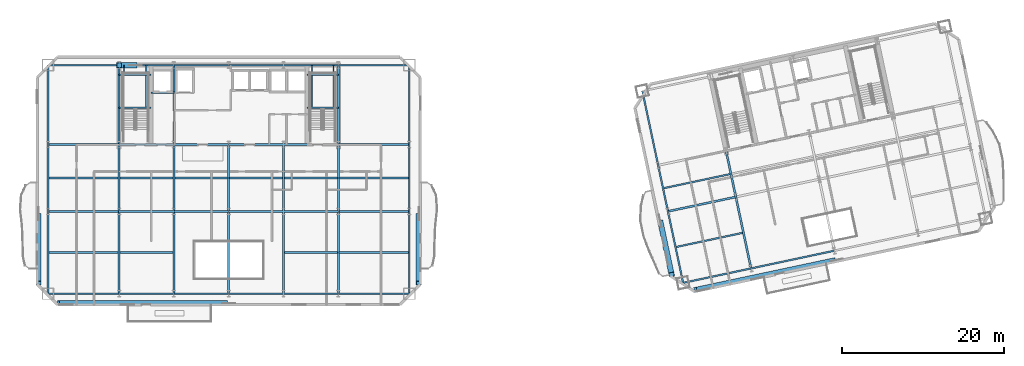
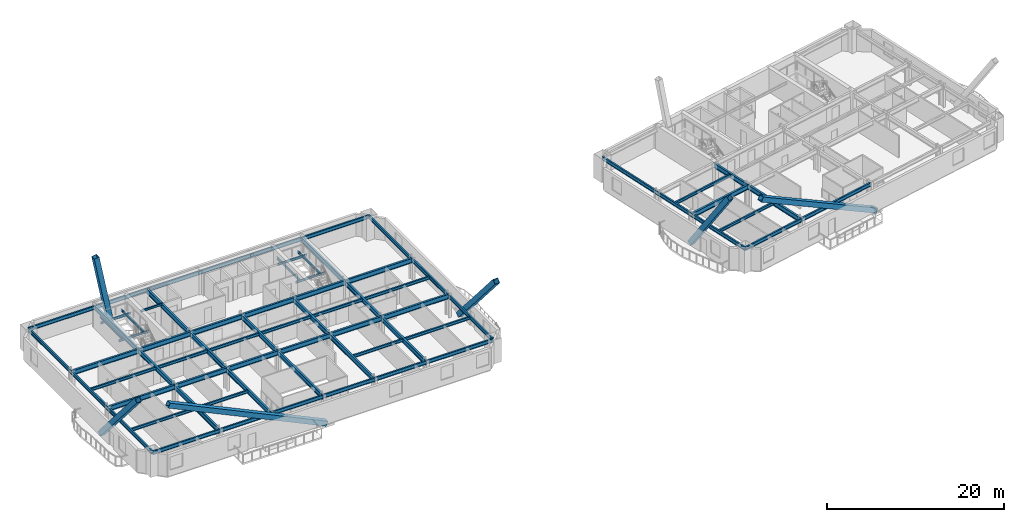
# One storey, part 3 of 15: 72 beams, 6 members.
"""IFC4 building model written with IfcOpenShell, lengths in metres."""

from ifc_helpers import new_model, si_unit, direction, frame, origin, origin_2d, place, context, subcontext, project, spatial, hollow_rectangle, i_section, extrude, material, material_profile, profile_set, type_object, element, save


model = new_model("IFC4")

# Units and contexts
model_context = context("Model", 3, precision=1e-05, world=origin(), true_north=direction((0.0, 1.0)))
body_context = subcontext(model_context, "Body", "Model", "MODEL_VIEW")
ifc_project = project(units=[si_unit("LENGTHUNIT", "METRE"), si_unit("AREAUNIT", "SQUARE_METRE"), si_unit("VOLUMEUNIT", "CUBIC_METRE"), si_unit("PLANEANGLEUNIT", "RADIAN"), si_unit("MASSUNIT", "GRAM", prefix="KILO")], contexts=[model_context])

# Site, building, storey
site_placement = place(None, origin())
site = spatial("IfcSite", under=ifc_project, at=site_placement, CompositionType="ELEMENT")
building_placement = place(site_placement, origin())
building = spatial("IfcBuilding", under=site, at=building_placement, Name="Haevon Station Towers", CompositionType="ELEMENT")
storey_placement = place(building_placement, frame((0.0, 0.0, 103.199951171875)))
storey = spatial("IfcBuildingStorey", under=building, at=storey_placement, Name="L27", CompositionType="ELEMENT", Elevation=103.199951171875)

# Beams
ifc_material_1 = material(Name="Steel S355", Category="steel")
ifc_material_profile_1 = material_profile(ifc_material_1, i_section(OverallWidth=0.25, OverallDepth=0.64990234375, WebThickness=0.012939453125, FlangeThickness=0.02197265625, at=origin_2d()), Name="H-650x250x13x22")
ifc_profile_set_1 = profile_set([ifc_material_profile_1], Name="Steel S355")
beam_type_1 = type_object("IfcBeamType", Name="BM-G650", PredefinedType="BEAM", material=ifc_profile_set_1)
beam_1_placement = place(storey_placement, frame((15.25, 30.0, 2.72509765625), z_axis=(1.0, 0.0, 0.0), x_axis=(0.0, 1.0, 0.0)))
element("IfcBeam", 1, at=beam_1_placement, inside=storey, type_object=beam_type_1, Name="BM-T1U-L27-02-01", PredefinedType="BEAM", context=body_context, shape_type="SweptSolid", body=[
    extrude(i_section(OverallWidth=0.25, OverallDepth=0.64990234375, WebThickness=0.012939453125, FlangeThickness=0.02197265625, at=origin_2d()), origin(), (0.0, 0.0, 1.0), 8.75),
])
for number, where, z_axis, x_axis, name in (
    (2, (24.0, 30.0, 2.72509765625), (1.0, 0.0, 0.0), (0.0, 1.0, 0.0), "BM-T1U-L27-02-02"),
    (3, (30.75, 30.0, 2.72509765625), (1.0, 0.0, 0.0), (0.0, 1.0, 0.0), "BM-T1U-L27-02-03"),
    (4, (37.5, 30.0, 2.72509765625), (1.0, 0.0, 0.0), (0.0, 1.0, 0.0), "BM-T1U-L27-02-04"),
    (5, (44.25, 30.0, 2.72509765625), (1.0, 0.0, 0.0), (0.0, 1.0, 0.0), "BM-T1U-L27-02-05"),
):
    element("IfcBeam", number, at=place(storey_placement, frame(where, z_axis=z_axis, x_axis=x_axis)), inside=storey, type_object=beam_type_1, Name=name, PredefinedType="BEAM", context=body_context, shape_type="SweptSolid", body=[
        extrude(i_section(OverallWidth=0.25, OverallDepth=0.64990234375, WebThickness=0.012939453125, FlangeThickness=0.02197265625, at=origin_2d()), origin(), (0.0, 0.0, 1.0), 6.75),
    ])
for number, where, z_axis, x_axis, name in (
    (6, (51.0, 30.0, 2.72509765625), (1.0, 0.0, 0.0), (0.0, 1.0, 0.0), "BM-T1U-L27-02-06"),
    (7, (15.25, 38.199951171875, 2.72509765625), (1.0, 0.0, 0.0), (0.0, 1.0, 0.0), "BM-T1U-L27-03-01"),
):
    element("IfcBeam", number, at=place(storey_placement, frame(where, z_axis=z_axis, x_axis=x_axis)), inside=storey, type_object=beam_type_1, Name=name, PredefinedType="BEAM", context=body_context, shape_type="SweptSolid", body=[
        extrude(i_section(OverallWidth=0.25, OverallDepth=0.64990234375, WebThickness=0.012939453125, FlangeThickness=0.02197265625, at=origin_2d()), origin(), (0.0, 0.0, 1.0), 8.75),
    ])
for number, where, z_axis, x_axis, name in (
    (8, (24.0, 38.199951171875, 2.72509765625), (1.0, 0.0, 0.0), (0.0, 1.0, 0.0), "BM-T1U-L27-03-02"),
    (9, (30.75, 38.199951171875, 2.72509765625), (1.0, 0.0, 0.0), (0.0, 1.0, 0.0), "BM-T1U-L27-03-03"),
    (10, (37.5, 38.199951171875, 2.72509765625), (1.0, 0.0, 0.0), (0.0, 1.0, 0.0), "BM-T1U-L27-03-04"),
    (11, (44.25, 38.199951171875, 2.72509765625), (1.0, 0.0, 0.0), (0.0, 1.0, 0.0), "BM-T1U-L27-03-05"),
):
    element("IfcBeam", number, at=place(storey_placement, frame(where, z_axis=z_axis, x_axis=x_axis)), inside=storey, type_object=beam_type_1, Name=name, PredefinedType="BEAM", context=body_context, shape_type="SweptSolid", body=[
        extrude(i_section(OverallWidth=0.25, OverallDepth=0.64990234375, WebThickness=0.012939453125, FlangeThickness=0.02197265625, at=origin_2d()), origin(), (0.0, 0.0, 1.0), 6.75),
    ])
beam_2_placement = place(storey_placement, frame((51.0, 38.199951171875, 2.72509765625), z_axis=(1.0, 0.0, 0.0), x_axis=(0.0, 1.0, 0.0)))
element("IfcBeam", 12, at=beam_2_placement, inside=storey, type_object=beam_type_1, Name="BM-T1U-L27-03-06", PredefinedType="BEAM", context=body_context, shape_type="SweptSolid", body=[
    extrude(i_section(OverallWidth=0.25, OverallDepth=0.64990234375, WebThickness=0.012939453125, FlangeThickness=0.02197265625, at=origin_2d()), origin(), (0.0, 0.0, 1.0), 8.75),
])
beam_3_placement = place(storey_placement, frame((24.0, 19.85009765625, 2.72509765625), z_axis=(0.0, 1.0, 0.0), x_axis=(-1.0, 0.0, 0.0)))
element("IfcBeam", 13, at=beam_3_placement, inside=storey, type_object=beam_type_1, Name="BM-T1V-L27-02-01", PredefinedType="BEAM", context=body_context, shape_type="SweptSolid", body=[
    extrude(i_section(OverallWidth=0.25, OverallDepth=0.64990234375, WebThickness=0.012939453125, FlangeThickness=0.02197265625, at=origin_2d()), origin(), (0.0, 0.0, 1.0), 10.14990234375),
])
beam_4_placement = place(storey_placement, frame((24.0, 30.0, 2.72509765625), z_axis=(0.0, 1.0, 0.0), x_axis=(-1.0, 0.0, 0.0)))
element("IfcBeam", 14, at=beam_4_placement, inside=storey, type_object=beam_type_1, Name="BM-T1V-L27-02-02", PredefinedType="BEAM", context=body_context, shape_type="SweptSolid", body=[
    extrude(i_section(OverallWidth=0.25, OverallDepth=0.64990234375, WebThickness=0.012939453125, FlangeThickness=0.02197265625, at=origin_2d()), origin(), (0.0, 0.0, 1.0), 8.199951171875),
])
beam_5_placement = place(storey_placement, frame((24.0, 38.199951171875, 2.72509765625), z_axis=(0.0, 1.0, 0.0), x_axis=(-1.0, 0.0, 0.0)))
element("IfcBeam", 15, at=beam_5_placement, inside=storey, type_object=beam_type_1, Name="BM-T1V-L27-02-03", PredefinedType="BEAM", context=body_context, shape_type="SweptSolid", body=[
    extrude(i_section(OverallWidth=0.25, OverallDepth=0.64990234375, WebThickness=0.012939453125, FlangeThickness=0.02197265625, at=origin_2d()), origin(), (0.0, 0.0, 1.0), 9.800048828125),
])
beam_6_placement = place(storey_placement, frame((30.75, 19.85009765625, 2.72509765625), z_axis=(0.0, 1.0, 0.0), x_axis=(-1.0, 0.0, 0.0)))
element("IfcBeam", 16, at=beam_6_placement, inside=storey, type_object=beam_type_1, Name="BM-T1V-L27-03-01", PredefinedType="BEAM", context=body_context, shape_type="SweptSolid", body=[
    extrude(i_section(OverallWidth=0.25, OverallDepth=0.64990234375, WebThickness=0.012939453125, FlangeThickness=0.02197265625, at=origin_2d()), origin(), (0.0, 0.0, 1.0), 10.14990234375),
])
beam_7_placement = place(storey_placement, frame((30.75, 30.0, 2.72509765625), z_axis=(0.0, 1.0, 0.0), x_axis=(-1.0, 0.0, 0.0)))
element("IfcBeam", 17, at=beam_7_placement, inside=storey, type_object=beam_type_1, Name="BM-T1V-L27-03-02", PredefinedType="BEAM", context=body_context, shape_type="SweptSolid", body=[
    extrude(i_section(OverallWidth=0.25, OverallDepth=0.64990234375, WebThickness=0.012939453125, FlangeThickness=0.02197265625, at=origin_2d()), origin(), (0.0, 0.0, 1.0), 8.199951171875),
])
beam_8_placement = place(storey_placement, frame((30.75, 38.199951171875, 2.72509765625), z_axis=(0.0, 1.0, 0.0), x_axis=(-1.0, 0.0, 0.0)))
element("IfcBeam", 18, at=beam_8_placement, inside=storey, type_object=beam_type_1, Name="BM-T1V-L27-03-03", PredefinedType="BEAM", context=body_context, shape_type="SweptSolid", body=[
    extrude(i_section(OverallWidth=0.25, OverallDepth=0.64990234375, WebThickness=0.012939453125, FlangeThickness=0.02197265625, at=origin_2d()), origin(), (0.0, 0.0, 1.0), 9.800048828125),
])
beam_9_placement = place(storey_placement, frame((37.5, 19.85009765625, 2.72509765625), z_axis=(0.0, 1.0, 0.0), x_axis=(-1.0, 0.0, 0.0)))
element("IfcBeam", 19, at=beam_9_placement, inside=storey, type_object=beam_type_1, Name="BM-T1V-L27-04-01", PredefinedType="BEAM", context=body_context, shape_type="SweptSolid", body=[
    extrude(i_section(OverallWidth=0.25, OverallDepth=0.64990234375, WebThickness=0.012939453125, FlangeThickness=0.02197265625, at=origin_2d()), origin(), (0.0, 0.0, 1.0), 10.14990234375),
])
beam_10_placement = place(storey_placement, frame((37.5, 30.0, 2.72509765625), z_axis=(0.0, 1.0, 0.0), x_axis=(-1.0, 0.0, 0.0)))
element("IfcBeam", 20, at=beam_10_placement, inside=storey, type_object=beam_type_1, Name="BM-T1V-L27-04-02", PredefinedType="BEAM", context=body_context, shape_type="SweptSolid", body=[
    extrude(i_section(OverallWidth=0.25, OverallDepth=0.64990234375, WebThickness=0.012939453125, FlangeThickness=0.02197265625, at=origin_2d()), origin(), (0.0, 0.0, 1.0), 8.199951171875),
])
beam_11_placement = place(storey_placement, frame((44.25, 19.85009765625, 2.72509765625), z_axis=(0.0, 1.0, 0.0), x_axis=(-1.0, 0.0, 0.0)))
element("IfcBeam", 21, at=beam_11_placement, inside=storey, type_object=beam_type_1, Name="BM-T1V-L27-05-01", PredefinedType="BEAM", context=body_context, shape_type="SweptSolid", body=[
    extrude(i_section(OverallWidth=0.25, OverallDepth=0.64990234375, WebThickness=0.012939453125, FlangeThickness=0.02197265625, at=origin_2d()), origin(), (0.0, 0.0, 1.0), 10.14990234375),
])
beam_12_placement = place(storey_placement, frame((44.25, 30.0, 2.72509765625), z_axis=(0.0, 1.0, 0.0), x_axis=(-1.0, 0.0, 0.0)))
element("IfcBeam", 22, at=beam_12_placement, inside=storey, type_object=beam_type_1, Name="BM-T1V-L27-05-02", PredefinedType="BEAM", context=body_context, shape_type="SweptSolid", body=[
    extrude(i_section(OverallWidth=0.25, OverallDepth=0.64990234375, WebThickness=0.012939453125, FlangeThickness=0.02197265625, at=origin_2d()), origin(), (0.0, 0.0, 1.0), 8.199951171875),
])
beam_13_placement = place(storey_placement, frame((51.0, 19.85009765625, 2.72509765625), z_axis=(0.0, 1.0, 0.0), x_axis=(-1.0, 0.0, 0.0)))
element("IfcBeam", 23, at=beam_13_placement, inside=storey, type_object=beam_type_1, Name="BM-T1V-L27-06-01", PredefinedType="BEAM", context=body_context, shape_type="SweptSolid", body=[
    extrude(i_section(OverallWidth=0.25, OverallDepth=0.64990234375, WebThickness=0.012939453125, FlangeThickness=0.02197265625, at=origin_2d()), origin(), (0.0, 0.0, 1.0), 10.14990234375),
])
beam_14_placement = place(storey_placement, frame((51.0, 30.0, 2.72509765625), z_axis=(0.0, 1.0, 0.0), x_axis=(-1.0, 0.0, 0.0)))
element("IfcBeam", 24, at=beam_14_placement, inside=storey, type_object=beam_type_1, Name="BM-T1V-L27-06-02", PredefinedType="BEAM", context=body_context, shape_type="SweptSolid", body=[
    extrude(i_section(OverallWidth=0.25, OverallDepth=0.64990234375, WebThickness=0.012939453125, FlangeThickness=0.02197265625, at=origin_2d()), origin(), (0.0, 0.0, 1.0), 8.199951171875),
])
beam_15_placement = place(storey_placement, frame((51.0, 38.199951171875, 2.72509765625), z_axis=(0.0, 1.0, 0.0), x_axis=(-1.0, 0.0, 0.0)))
element("IfcBeam", 25, at=beam_15_placement, inside=storey, type_object=beam_type_1, Name="BM-T1V-L27-06-03", PredefinedType="BEAM", context=body_context, shape_type="SweptSolid", body=[
    extrude(i_section(OverallWidth=0.25, OverallDepth=0.64990234375, WebThickness=0.012939453125, FlangeThickness=0.02197265625, at=origin_2d()), origin(), (0.0, 0.0, 1.0), 9.800048828125),
])
beam_16_placement = place(storey_placement, frame((91.594970703125, 29.991455078125, 2.72509765625), z_axis=(0.978149560998, 0.207902468287, 0.0), x_axis=(-0.207902468287, 0.978149560998, 0.0)))
element("IfcBeam", 26, at=beam_16_placement, inside=storey, type_object=beam_type_1, Name="BM-T2U-L27-02-01", PredefinedType="BEAM", context=body_context, shape_type="SweptSolid", body=[
    extrude(i_section(OverallWidth=0.25, OverallDepth=0.64990234375, WebThickness=0.012939453125, FlangeThickness=0.02197265625, at=origin_2d()), origin(), (0.0, 0.0, 1.0), 8.550048828125),
])
beam_17_placement = place(storey_placement, frame((101.829345703125, 22.9658203125, 2.72509765625), z_axis=(-0.20790223038, 0.978149611564, 0.0), x_axis=(-0.978149611564, -0.20790223038, 0.0)))
element("IfcBeam", 27, at=beam_17_placement, inside=storey, type_object=beam_type_1, Name="BM-T2V-L27-02-01", PredefinedType="BEAM", context=body_context, shape_type="SweptSolid", body=[
    extrude(i_section(OverallWidth=0.25, OverallDepth=0.64990234375, WebThickness=0.012939453125, FlangeThickness=0.02197265625, at=origin_2d()), origin(), (0.0, 0.0, 1.0), 8.999755859375),
])
beam_18_placement = place(storey_placement, frame((99.958251953125, 31.76904296875, 2.72509765625), z_axis=(-0.207896009217, 0.97815093383, 0.0), x_axis=(-0.97815093383, -0.207896009217, 0.0)))
element("IfcBeam", 28, at=beam_18_placement, inside=storey, type_object=beam_type_1, Name="BM-T2V-L27-02-02", PredefinedType="BEAM", context=body_context, shape_type="SweptSolid", body=[
    extrude(i_section(OverallWidth=0.25, OverallDepth=0.64990234375, WebThickness=0.012939453125, FlangeThickness=0.02197265625, at=origin_2d()), origin(), (0.0, 0.0, 1.0), 5.800048828125),
])
ifc_material_profile_2 = material_profile(ifc_material_1, i_section(OverallWidth=0.199951171875, OverallDepth=0.39990234375, WebThickness=0.008056640625, FlangeThickness=0.012939453125, at=origin_2d()), Name="H-400x200x8x13")
ifc_profile_set_2 = profile_set([ifc_material_profile_2], Name="Steel S355")
beam_type_2 = type_object("IfcBeamType", Name="BM-J400", PredefinedType="JOIST", material=ifc_profile_set_2)
beam_19_placement = place(storey_placement, frame((15.360107421875, 24.925048828125, 2.85009765625), z_axis=(1.0, 0.0, 0.0), x_axis=(0.0, 1.0, 0.0)))
element("IfcBeam", 29, at=beam_19_placement, inside=storey, type_object=beam_type_2, Name="BM-T1J-L27-01-01", PredefinedType="JOIST", context=body_context, shape_type="SweptSolid", body=[
    extrude(i_section(OverallWidth=0.199951171875, OverallDepth=0.39990234375, WebThickness=0.008056640625, FlangeThickness=0.012939453125, at=origin_2d()), origin(), (0.0, 0.0, 1.0), 8.52978515625),
])
for number, where, z_axis, x_axis, name in (
    (30, (24.110107421875, 24.925048828125, 2.85009765625), (1.0, 0.0, 0.0), (0.0, 1.0, 0.0), "BM-T1J-L27-01-02"),
    (31, (44.360107421875, 24.925048828125, 2.85009765625), (1.0, 0.0, 0.0), (0.0, 1.0, 0.0), "BM-T1J-L27-01-05"),
):
    element("IfcBeam", number, at=place(storey_placement, frame(where, z_axis=z_axis, x_axis=x_axis)), inside=storey, type_object=beam_type_2, Name=name, PredefinedType="JOIST", context=body_context, shape_type="SweptSolid", body=[
        extrude(i_section(OverallWidth=0.199951171875, OverallDepth=0.39990234375, WebThickness=0.008056640625, FlangeThickness=0.012939453125, at=origin_2d()), origin(), (0.0, 0.0, 1.0), 6.52978515625),
    ])
for number, where, z_axis, x_axis, name in (
    (32, (51.110107421875, 24.925048828125, 2.85009765625), (1.0, 0.0, 0.0), (0.0, 1.0, 0.0), "BM-T1J-L27-01-06"),
    (33, (15.360107421875, 34.10009765625, 2.85009765625), (1.0, 0.0, 0.0), (0.0, 1.0, 0.0), "BM-T1J-L27-02-01"),
):
    element("IfcBeam", number, at=place(storey_placement, frame(where, z_axis=z_axis, x_axis=x_axis)), inside=storey, type_object=beam_type_2, Name=name, PredefinedType="JOIST", context=body_context, shape_type="SweptSolid", body=[
        extrude(i_section(OverallWidth=0.199951171875, OverallDepth=0.39990234375, WebThickness=0.008056640625, FlangeThickness=0.012939453125, at=origin_2d()), origin(), (0.0, 0.0, 1.0), 8.52978515625),
    ])
for number, where, z_axis, x_axis, name in (
    (34, (24.110107421875, 34.10009765625, 2.85009765625), (1.0, 0.0, 0.0), (0.0, 1.0, 0.0), "BM-T1J-L27-02-02"),
    (35, (30.860107421875, 34.10009765625, 2.85009765625), (1.0, 0.0, 0.0), (0.0, 1.0, 0.0), "BM-T1J-L27-02-03"),
    (36, (37.610107421875, 34.10009765625, 2.85009765625), (1.0, 0.0, 0.0), (0.0, 1.0, 0.0), "BM-T1J-L27-02-04"),
    (37, (44.360107421875, 34.10009765625, 2.85009765625), (1.0, 0.0, 0.0), (0.0, 1.0, 0.0), "BM-T1J-L27-02-05"),
):
    element("IfcBeam", number, at=place(storey_placement, frame(where, z_axis=z_axis, x_axis=x_axis)), inside=storey, type_object=beam_type_2, Name=name, PredefinedType="JOIST", context=body_context, shape_type="SweptSolid", body=[
        extrude(i_section(OverallWidth=0.199951171875, OverallDepth=0.39990234375, WebThickness=0.008056640625, FlangeThickness=0.012939453125, at=origin_2d()), origin(), (0.0, 0.0, 1.0), 6.52978515625),
    ])
beam_20_placement = place(storey_placement, frame((51.110107421875, 34.10009765625, 2.85009765625), z_axis=(1.0, 0.0, 0.0), x_axis=(0.0, 1.0, 0.0)))
element("IfcBeam", 38, at=beam_20_placement, inside=storey, type_object=beam_type_2, Name="BM-T1J-L27-02-06", PredefinedType="JOIST", context=body_context, shape_type="SweptSolid", body=[
    extrude(i_section(OverallWidth=0.199951171875, OverallDepth=0.39990234375, WebThickness=0.008056640625, FlangeThickness=0.012939453125, at=origin_2d()), origin(), (0.0, 0.0, 1.0), 8.52978515625),
])
beam_21_placement = place(storey_placement, frame((92.63818359375, 25.61279296875, 2.85009765625), z_axis=(0.978146782292, 0.207915541247, 0.0), x_axis=(-0.207915541247, 0.978146782292, 0.0)))
element("IfcBeam", 39, at=beam_21_placement, inside=storey, type_object=beam_type_2, Name="BM-T2J-L27-01-01", PredefinedType="JOIST", context=body_context, shape_type="SweptSolid", body=[
    extrude(i_section(OverallWidth=0.199951171875, OverallDepth=0.39990234375, WebThickness=0.008056640625, FlangeThickness=0.012939453125, at=origin_2d()), origin(), (0.0, 0.0, 1.0), 8.330078125),
])
beam_22_placement = place(storey_placement, frame((91.099609375, 32.85107421875, 2.85009765625), z_axis=(0.978148049217, 0.207909580858, 0.0), x_axis=(-0.207909580858, 0.978148049217, 0.0)))
element("IfcBeam", 40, at=beam_22_placement, inside=storey, type_object=beam_type_2, Name="BM-T2J-L27-02-01", PredefinedType="JOIST", context=body_context, shape_type="SweptSolid", body=[
    extrude(i_section(OverallWidth=0.199951171875, OverallDepth=0.39990234375, WebThickness=0.008056640625, FlangeThickness=0.012939453125, at=origin_2d()), origin(), (0.0, 0.0, 1.0), 8.330322265625),
])
ifc_material_profile_3 = material_profile(ifc_material_1, i_section(OverallWidth=0.14990234375, OverallDepth=0.300048828125, WebThickness=0.006591796875, FlangeThickness=0.009033203125, at=origin_2d()), Name="H-300x150x6.5x9")
ifc_profile_set_3 = profile_set([ifc_material_profile_3], Name="Steel S355")
beam_type_3 = type_object("IfcBeamType", Name="BM-LIN300", PredefinedType="LINTEL", material=ifc_profile_set_3)
for number, where, z_axis, x_axis, name in (
    (41, (24.0, 42.743896484375, 1.300048828125), (1.0, 0.0, 0.0), (0.0, 1.0, 0.0), "BM-ST1L-L27-1-S"),
    (42, (24.0, 46.820068359375, 1.300048828125), (1.0, 0.0, 0.0), (0.0, 1.0, 0.0), "BM-ST1L-L27-1-N"),
):
    element("IfcBeam", number, at=place(storey_placement, frame(where, z_axis=z_axis, x_axis=x_axis)), inside=storey, type_object=beam_type_3, Name=name, PredefinedType="LINTEL", context=body_context, shape_type="SweptSolid", body=[
        extrude(i_section(OverallWidth=0.14990234375, OverallDepth=0.300048828125, WebThickness=0.006591796875, FlangeThickness=0.009033203125, at=origin_2d()), origin(), (0.0, 0.0, 1.0), 3.949951171875),
    ])
for number, where, z_axis, x_axis, name in (
    (43, (24.60009765625, 42.743896484375, 1.300048828125), (0.0, 1.0, 0.0), (-1.0, 0.0, 0.0), "BM-ST1L-L27-1-W"),
    (44, (27.35009765625, 42.743896484375, 1.300048828125), (0.0, 1.0, 0.0), (-1.0, 0.0, 0.0), "BM-ST1L-L27-1-E"),
):
    element("IfcBeam", number, at=place(storey_placement, frame(where, z_axis=z_axis, x_axis=x_axis)), inside=storey, type_object=beam_type_3, Name=name, PredefinedType="LINTEL", context=body_context, shape_type="SweptSolid", body=[
        extrude(i_section(OverallWidth=0.14990234375, OverallDepth=0.300048828125, WebThickness=0.006591796875, FlangeThickness=0.009033203125, at=origin_2d()), origin(), (0.0, 0.0, 1.0), 5.256103515625),
    ])
for number, where, z_axis, x_axis, name in (
    (45, (47.14990234375, 42.743896484375, 1.300048828125), (1.0, 0.0, 0.0), (0.0, 1.0, 0.0), "BM-ST2L-L27-1-S"),
    (46, (47.14990234375, 46.820068359375, 1.300048828125), (1.0, 0.0, 0.0), (0.0, 1.0, 0.0), "BM-ST2L-L27-1-N"),
):
    element("IfcBeam", number, at=place(storey_placement, frame(where, z_axis=z_axis, x_axis=x_axis)), inside=storey, type_object=beam_type_3, Name=name, PredefinedType="LINTEL", context=body_context, shape_type="SweptSolid", body=[
        extrude(i_section(OverallWidth=0.14990234375, OverallDepth=0.300048828125, WebThickness=0.006591796875, FlangeThickness=0.009033203125, at=origin_2d()), origin(), (0.0, 0.0, 1.0), 3.85009765625),
    ])
for number, where, z_axis, x_axis, name in (
    (47, (47.75, 42.743896484375, 1.300048828125), (0.0, 1.0, 0.0), (-1.0, 0.0, 0.0), "BM-ST2L-L27-1-W"),
    (48, (50.39990234375, 42.743896484375, 1.300048828125), (0.0, 1.0, 0.0), (-1.0, 0.0, 0.0), "BM-ST2L-L27-1-E"),
):
    element("IfcBeam", number, at=place(storey_placement, frame(where, z_axis=z_axis, x_axis=x_axis)), inside=storey, type_object=beam_type_3, Name=name, PredefinedType="LINTEL", context=body_context, shape_type="SweptSolid", body=[
        extrude(i_section(OverallWidth=0.14990234375, OverallDepth=0.300048828125, WebThickness=0.006591796875, FlangeThickness=0.009033203125, at=origin_2d()), origin(), (0.0, 0.0, 1.0), 5.256103515625),
    ])
beam_23_placement = place(storey_placement, frame((27.949951171875, 44.60009765625, 2.900146484375), z_axis=(1.0, 0.0, 0.0), x_axis=(0.0, 1.0, 0.0)))
element("IfcBeam", 49, at=beam_23_placement, inside=storey, type_object=beam_type_3, Name="BM-T1LIN-L27", PredefinedType="LINTEL", context=body_context, shape_type="SweptSolid", body=[
    extrude(i_section(OverallWidth=0.14990234375, OverallDepth=0.300048828125, WebThickness=0.006591796875, FlangeThickness=0.009033203125, at=origin_2d()), origin(), (0.0, 0.0, 1.0), 2.85009765625),
])
ifc_material_profile_4 = material_profile(ifc_material_1, i_section(OverallWidth=0.199951171875, OverallDepth=0.5, WebThickness=0.010009765625, FlangeThickness=0.01611328125, at=origin_2d()), Name="H-500x200x10x16")
ifc_profile_set_4 = profile_set([ifc_material_profile_4], Name="Steel S355")
beam_type_4 = type_object("IfcBeamType", Name="BM-SP500", PredefinedType="SPANDREL", material=ifc_profile_set_4)
beam_24_placement = place(storey_placement, frame((15.25, 19.85009765625, 2.800048828125), z_axis=(1.0, 0.0, 0.0), x_axis=(0.0, 1.0, 0.0)))
element("IfcBeam", 50, at=beam_24_placement, inside=storey, type_object=beam_type_4, Name="BM-T1U-L27-01-01", PredefinedType="SPANDREL", context=body_context, shape_type="SweptSolid", body=[
    extrude(i_section(OverallWidth=0.199951171875, OverallDepth=0.5, WebThickness=0.010009765625, FlangeThickness=0.01611328125, at=origin_2d()), origin(), (0.0, 0.0, 1.0), 8.75),
])
for number, where, z_axis, x_axis, name in (
    (51, (24.0, 19.85009765625, 2.800048828125), (1.0, 0.0, 0.0), (0.0, 1.0, 0.0), "BM-T1U-L27-01-02"),
    (52, (30.75, 19.85009765625, 2.800048828125), (1.0, 0.0, 0.0), (0.0, 1.0, 0.0), "BM-T1U-L27-01-03"),
    (53, (37.5, 19.85009765625, 2.800048828125), (1.0, 0.0, 0.0), (0.0, 1.0, 0.0), "BM-T1U-L27-01-04"),
    (54, (44.25, 19.85009765625, 2.800048828125), (1.0, 0.0, 0.0), (0.0, 1.0, 0.0), "BM-T1U-L27-01-05"),
):
    element("IfcBeam", number, at=place(storey_placement, frame(where, z_axis=z_axis, x_axis=x_axis)), inside=storey, type_object=beam_type_4, Name=name, PredefinedType="SPANDREL", context=body_context, shape_type="SweptSolid", body=[
        extrude(i_section(OverallWidth=0.199951171875, OverallDepth=0.5, WebThickness=0.010009765625, FlangeThickness=0.01611328125, at=origin_2d()), origin(), (0.0, 0.0, 1.0), 6.75),
    ])
for number, where, z_axis, x_axis, name in (
    (55, (51.0, 19.85009765625, 2.800048828125), (1.0, 0.0, 0.0), (0.0, 1.0, 0.0), "BM-T1U-L27-01-06"),
    (56, (15.25, 48.0, 2.800048828125), (1.0, 0.0, 0.0), (0.0, 1.0, 0.0), "BM-T1U-L27-04-01"),
):
    element("IfcBeam", number, at=place(storey_placement, frame(where, z_axis=z_axis, x_axis=x_axis)), inside=storey, type_object=beam_type_4, Name=name, PredefinedType="SPANDREL", context=body_context, shape_type="SweptSolid", body=[
        extrude(i_section(OverallWidth=0.199951171875, OverallDepth=0.5, WebThickness=0.010009765625, FlangeThickness=0.01611328125, at=origin_2d()), origin(), (0.0, 0.0, 1.0), 8.75),
    ])
for number, where, z_axis, x_axis, name in (
    (57, (24.0, 48.0, 2.800048828125), (1.0, 0.0, 0.0), (0.0, 1.0, 0.0), "BM-T1U-L27-04-02"),
    (58, (30.75, 48.0, 2.800048828125), (1.0, 0.0, 0.0), (0.0, 1.0, 0.0), "BM-T1U-L27-04-03"),
    (59, (37.5, 48.0, 2.800048828125), (1.0, 0.0, 0.0), (0.0, 1.0, 0.0), "BM-T1U-L27-04-04"),
    (60, (44.25, 48.0, 2.800048828125), (1.0, 0.0, 0.0), (0.0, 1.0, 0.0), "BM-T1U-L27-04-05"),
):
    element("IfcBeam", number, at=place(storey_placement, frame(where, z_axis=z_axis, x_axis=x_axis)), inside=storey, type_object=beam_type_4, Name=name, PredefinedType="SPANDREL", context=body_context, shape_type="SweptSolid", body=[
        extrude(i_section(OverallWidth=0.199951171875, OverallDepth=0.5, WebThickness=0.010009765625, FlangeThickness=0.01611328125, at=origin_2d()), origin(), (0.0, 0.0, 1.0), 6.75),
    ])
beam_25_placement = place(storey_placement, frame((51.0, 48.0, 2.800048828125), z_axis=(1.0, 0.0, 0.0), x_axis=(0.0, 1.0, 0.0)))
element("IfcBeam", 61, at=beam_25_placement, inside=storey, type_object=beam_type_4, Name="BM-T1U-L27-04-06", PredefinedType="SPANDREL", context=body_context, shape_type="SweptSolid", body=[
    extrude(i_section(OverallWidth=0.199951171875, OverallDepth=0.5, WebThickness=0.010009765625, FlangeThickness=0.01611328125, at=origin_2d()), origin(), (0.0, 0.0, 1.0), 8.75),
])
beam_26_placement = place(storey_placement, frame((15.25, 19.85009765625, 2.800048828125), z_axis=(0.0, 1.0, 0.0), x_axis=(-1.0, 0.0, 0.0)))
element("IfcBeam", 62, at=beam_26_placement, inside=storey, type_object=beam_type_4, Name="BM-T1V-L27-01-01", PredefinedType="SPANDREL", context=body_context, shape_type="SweptSolid", body=[
    extrude(i_section(OverallWidth=0.199951171875, OverallDepth=0.5, WebThickness=0.010009765625, FlangeThickness=0.01611328125, at=origin_2d()), origin(), (0.0, 0.0, 1.0), 10.14990234375),
])
beam_27_placement = place(storey_placement, frame((15.25, 30.0, 2.800048828125), z_axis=(0.0, 1.0, 0.0), x_axis=(-1.0, 0.0, 0.0)))
element("IfcBeam", 63, at=beam_27_placement, inside=storey, type_object=beam_type_4, Name="BM-T1V-L27-01-02", PredefinedType="SPANDREL", context=body_context, shape_type="SweptSolid", body=[
    extrude(i_section(OverallWidth=0.199951171875, OverallDepth=0.5, WebThickness=0.010009765625, FlangeThickness=0.01611328125, at=origin_2d()), origin(), (0.0, 0.0, 1.0), 8.199951171875),
])
beam_28_placement = place(storey_placement, frame((15.25, 38.199951171875, 2.800048828125), z_axis=(0.0, 1.0, 0.0), x_axis=(-1.0, 0.0, 0.0)))
element("IfcBeam", 64, at=beam_28_placement, inside=storey, type_object=beam_type_4, Name="BM-T1V-L27-01-03", PredefinedType="SPANDREL", context=body_context, shape_type="SweptSolid", body=[
    extrude(i_section(OverallWidth=0.199951171875, OverallDepth=0.5, WebThickness=0.010009765625, FlangeThickness=0.01611328125, at=origin_2d()), origin(), (0.0, 0.0, 1.0), 9.800048828125),
])
beam_29_placement = place(storey_placement, frame((59.75, 19.85009765625, 2.800048828125), z_axis=(0.0, 1.0, 0.0), x_axis=(-1.0, 0.0, 0.0)))
element("IfcBeam", 65, at=beam_29_placement, inside=storey, type_object=beam_type_4, Name="BM-T1V-L27-07-01", PredefinedType="SPANDREL", context=body_context, shape_type="SweptSolid", body=[
    extrude(i_section(OverallWidth=0.199951171875, OverallDepth=0.5, WebThickness=0.010009765625, FlangeThickness=0.01611328125, at=origin_2d()), origin(), (0.0, 0.0, 1.0), 10.14990234375),
])
beam_30_placement = place(storey_placement, frame((59.75, 30.0, 2.800048828125), z_axis=(0.0, 1.0, 0.0), x_axis=(-1.0, 0.0, 0.0)))
element("IfcBeam", 66, at=beam_30_placement, inside=storey, type_object=beam_type_4, Name="BM-T1V-L27-07-02", PredefinedType="SPANDREL", context=body_context, shape_type="SweptSolid", body=[
    extrude(i_section(OverallWidth=0.199951171875, OverallDepth=0.5, WebThickness=0.010009765625, FlangeThickness=0.01611328125, at=origin_2d()), origin(), (0.0, 0.0, 1.0), 8.199951171875),
])
beam_31_placement = place(storey_placement, frame((59.75, 38.199951171875, 2.800048828125), z_axis=(0.0, 1.0, 0.0), x_axis=(-1.0, 0.0, 0.0)))
element("IfcBeam", 67, at=beam_31_placement, inside=storey, type_object=beam_type_4, Name="BM-T1V-L27-07-03", PredefinedType="SPANDREL", context=body_context, shape_type="SweptSolid", body=[
    extrude(i_section(OverallWidth=0.199951171875, OverallDepth=0.5, WebThickness=0.010009765625, FlangeThickness=0.01611328125, at=origin_2d()), origin(), (0.0, 0.0, 1.0), 9.800048828125),
])
beam_32_placement = place(storey_placement, frame((93.46630859375, 21.188232421875, 2.800048828125), z_axis=(0.978148326739, 0.2079082752, 0.0), x_axis=(-0.2079082752, 0.978148326739, 0.0)))
element("IfcBeam", 68, at=beam_32_placement, inside=storey, type_object=beam_type_4, Name="BM-T2U-L27-01-01", PredefinedType="SPANDREL", context=body_context, shape_type="SweptSolid", body=[
    extrude(i_section(OverallWidth=0.199951171875, OverallDepth=0.5, WebThickness=0.010009765625, FlangeThickness=0.01611328125, at=origin_2d()), origin(), (0.0, 0.0, 1.0), 8.5498046875),
])
beam_33_placement = place(storey_placement, frame((101.829345703125, 22.9658203125, 2.800048828125), z_axis=(0.978147799298, 0.207910756646, 0.0), x_axis=(-0.207910756646, 0.978147799298, 0.0)))
element("IfcBeam", 69, at=beam_33_placement, inside=storey, type_object=beam_type_4, Name="BM-T2U-L27-01-02", PredefinedType="SPANDREL", context=body_context, shape_type="SweptSolid", body=[
    extrude(i_section(OverallWidth=0.199951171875, OverallDepth=0.5, WebThickness=0.010009765625, FlangeThickness=0.01611328125, at=origin_2d()), origin(), (0.0, 0.0, 1.0), 10.500244140625),
])
beam_34_placement = place(storey_placement, frame((93.46630859375, 21.188232421875, 2.800048828125), z_axis=(-0.207928184753, 0.978144094694, 0.0), x_axis=(-0.978144094694, -0.207928184753, 0.0)))
element("IfcBeam", 70, at=beam_34_placement, inside=storey, type_object=beam_type_4, Name="BM-T2V-L27-01-01", PredefinedType="SPANDREL", context=body_context, shape_type="SweptSolid", body=[
    extrude(i_section(OverallWidth=0.199951171875, OverallDepth=0.5, WebThickness=0.010009765625, FlangeThickness=0.01611328125, at=origin_2d()), origin(), (0.0, 0.0, 1.0), 9.0),
])
beam_35_placement = place(storey_placement, frame((91.594970703125, 29.991455078125, 2.800048828125), z_axis=(-0.207896009217, 0.97815093383, 0.0), x_axis=(-0.97815093383, -0.207896009217, 0.0)))
element("IfcBeam", 71, at=beam_35_placement, inside=storey, type_object=beam_type_4, Name="BM-T2V-L27-01-02", PredefinedType="SPANDREL", context=body_context, shape_type="SweptSolid", body=[
    extrude(i_section(OverallWidth=0.199951171875, OverallDepth=0.5, WebThickness=0.010009765625, FlangeThickness=0.01611328125, at=origin_2d()), origin(), (0.0, 0.0, 1.0), 5.800048828125),
])
beam_36_placement = place(storey_placement, frame((90.38916015625, 35.664794921875, 2.800048828125), z_axis=(-0.207897167074, 0.978150687738, 0.0), x_axis=(-0.978150687738, -0.207897167074, 0.0)))
element("IfcBeam", 72, at=beam_36_placement, inside=storey, type_object=beam_type_4, Name="BM-T2V-L27-01-03", PredefinedType="SPANDREL", context=body_context, shape_type="SweptSolid", body=[
    extrude(i_section(OverallWidth=0.199951171875, OverallDepth=0.5, WebThickness=0.010009765625, FlangeThickness=0.01611328125, at=origin_2d()), origin(), (0.0, 0.0, 1.0), 9.35009765625),
])

# Members
ifc_material_2 = material(Name="Steel S460", Category="steel")
ifc_material_profile_5 = material_profile(ifc_material_2, hollow_rectangle(XDim=0.64990234375, YDim=0.64990234375, WallThickness=0.031982421875, at=origin_2d()), Name="RHS-650x650x32")
ifc_profile_set_5 = profile_set([ifc_material_profile_5], Name="Steel S460")
member_type = type_object("IfcMemberType", Name="MB-650", PredefinedType="BRACE", material=ifc_profile_set_5)
member_1_placement = place(storey_placement, frame((37.1953125, 18.679931640625, 0.0087890625), z_axis=(-0.904382924431, 0.0, 0.426721836794), x_axis=(0.0, -1.0, 0.0)))
element("IfcMember", 73, at=member_1_placement, inside=storey, type_object=member_type, Name="BR-T1MB-T03-S-D2B", PredefinedType="BRACE", context=body_context, shape_type="SweptSolid", body=[
    extrude(hollow_rectangle(XDim=0.64990234375, YDim=0.64990234375, WallThickness=0.031982421875, at=origin_2d()), origin(), (0.0, 0.0, 1.0), 22.828125),
])
member_2_placement = place(storey_placement, frame((25.908935546875, 48.0, 0.195556640625), z_axis=(-0.19592338254, 0.0, 0.980619206509), x_axis=(0.0, -1.0, 0.0)))
element("IfcMember", 74, at=member_2_placement, inside=storey, type_object=member_type, Name="BR-T1MB-T03-N-D2B", PredefinedType="BRACE", context=body_context, shape_type="SweptSolid", body=[
    extrude(hollow_rectangle(XDim=0.64990234375, YDim=0.64990234375, WallThickness=0.031982421875, at=origin_2d()), origin(), (0.0, 0.0, 1.0), 9.7431640625),
])
for number, where, z_axis, x_axis, name in (
    (75, (14.080078125, 29.454833984375, 0.120361328125), (0.0, -0.653098361075, 0.757273088629), (1.0, 0.0, 0.0), "BR-T1MB-T03-W-D2B"),
    (76, (60.919921875, 29.454833984375, 0.120361328125), (0.0, -0.653098361075, 0.757273088629), (1.0, 0.0, 0.0), "BR-T1MB-T03-E-D2B"),
):
    element("IfcMember", number, at=place(storey_placement, frame(where, z_axis=z_axis, x_axis=x_axis)), inside=storey, type_object=member_type, Name=name, PredefinedType="BRACE", context=body_context, shape_type="SweptSolid", body=[
        extrude(hollow_rectangle(XDim=0.64990234375, YDim=0.64990234375, WallThickness=0.031982421875, at=origin_2d()), origin(), (0.0, 0.0, 1.0), 12.71630859375),
    ])
member_3_placement = place(storey_placement, frame((112.05517578125, 23.943359375, 0.029052734375), z_axis=(-0.854564491019, -0.181653760256, 0.486540277957), x_axis=(0.207923157206, -0.978145163407, 0.0)))
element("IfcMember", 77, at=member_3_placement, inside=storey, type_object=member_type, Name="BR-T2MB-T03-S-D2B", PredefinedType="BRACE", context=body_context, shape_type="SweptSolid", body=[
    extrude(hollow_rectangle(XDim=0.64990234375, YDim=0.64990234375, WallThickness=0.031982421875, at=origin_2d()), origin(), (0.0, 0.0, 1.0), 19.979736328125),
])
member_4_placement = place(storey_placement, frame((90.687744140625, 28.633056640625, 0.143310546875), z_axis=(0.117235784602, -0.551591638185, 0.825834387449), x_axis=(0.978150715619, 0.207897035897, 0.0)))
element("IfcMember", 78, at=member_4_placement, inside=storey, type_object=member_type, Name="BR-T2MB-T03-W-D2B", PredefinedType="BRACE", context=body_context, shape_type="SweptSolid", body=[
    extrude(hollow_rectangle(XDim=0.64990234375, YDim=0.64990234375, WallThickness=0.031982421875, at=origin_2d()), origin(), (0.0, 0.0, 1.0), 11.6328125),
])

save(model, "model.ifc")
